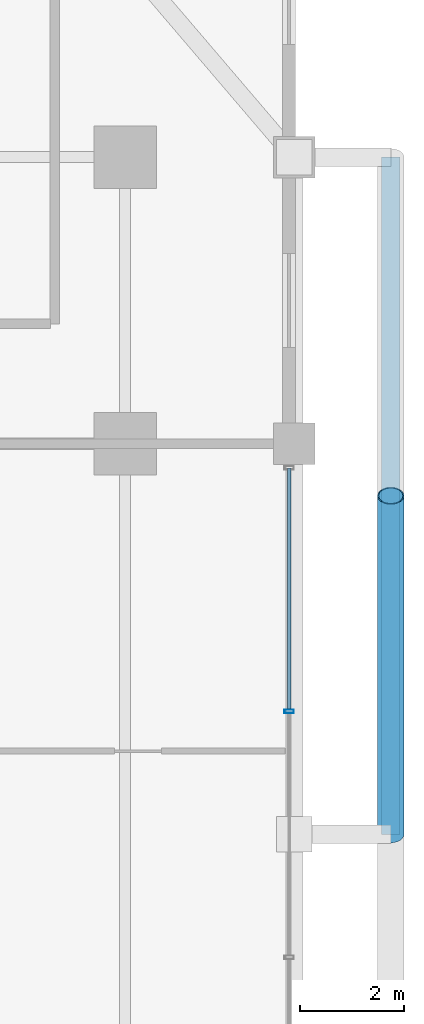
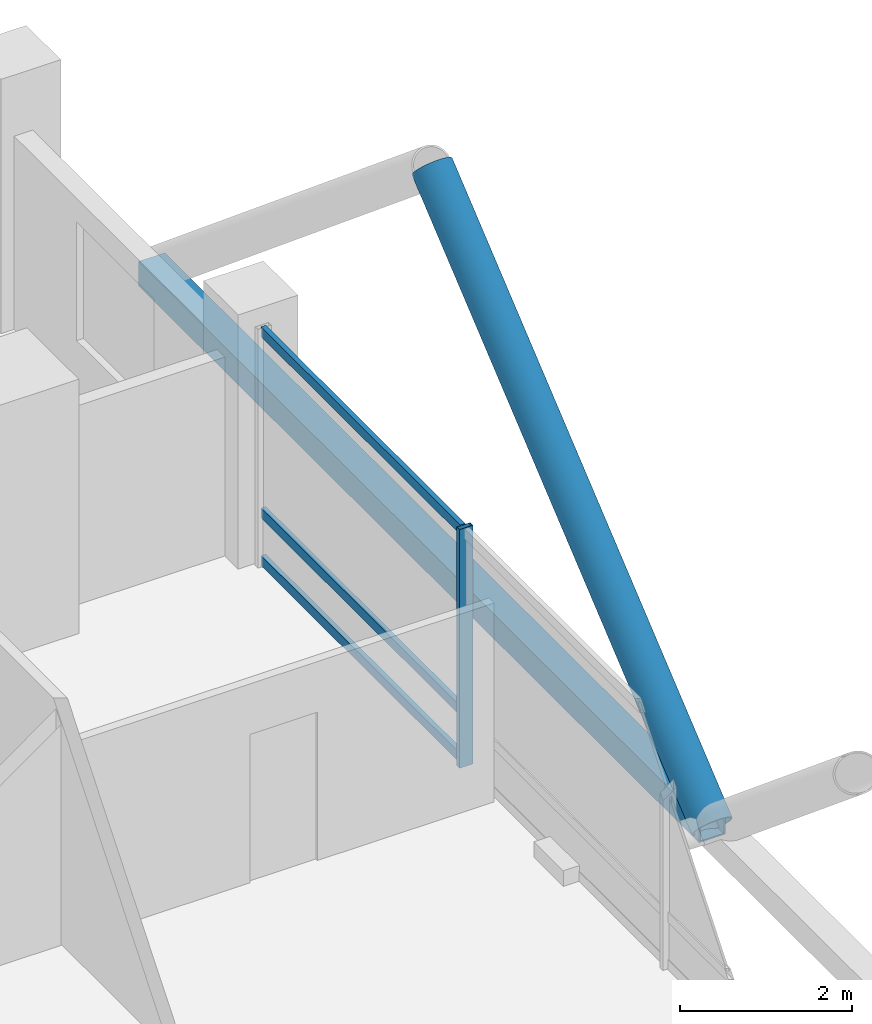
# One storey, part 11 of 25: 6 members, 1 element without a shape of its own.
"""IFC4 building model written with IfcOpenShell, lengths in metres."""

from ifc_helpers import new_model, si_unit, direction, frame, origin, origin_2d, place, context, subcontext, project, spatial, hollow_rectangle, hollow_circle, extrude, material, layer, layer_set, material_profile, profile_set, type_object, element, aggregate, save


model = new_model("IFC4")

# Units and contexts
model_context = context("Model", 3, precision=1e-05, world=origin(), true_north=direction((0.0, 1.0)))
body_context = subcontext(model_context, "Body", "Model", "MODEL_VIEW")
ifc_project = project(units=[si_unit("LENGTHUNIT", "METRE"), si_unit("AREAUNIT", "SQUARE_METRE"), si_unit("VOLUMEUNIT", "CUBIC_METRE"), si_unit("PLANEANGLEUNIT", "RADIAN"), si_unit("MASSUNIT", "GRAM", prefix="KILO")], contexts=[model_context])

# Site, building, storey
site_placement = place(None, origin())
site = spatial("IfcSite", under=ifc_project, at=site_placement, CompositionType="ELEMENT")
building_placement = place(site_placement, origin())
building = spatial("IfcBuilding", under=site, at=building_placement, Name="Barlavira Tower and Art Museum", CompositionType="ELEMENT")
storey_placement = place(building_placement, frame((0.0, 0.0, 144.0)))
storey = spatial("IfcBuildingStorey", under=building, at=storey_placement, Name="L36", CompositionType="ELEMENT", Elevation=144.0)

# Curtain wall, members
ifc_material_1 = material(Name="Low-iron coastal laminated glass", Category="glass")
ifc_layer = layer(ifc_material_1, 0.18994140625, Name="Low-iron coastal laminated glass")
ifc_layer_set = layer_set([ifc_layer], Name="Low-iron coastal laminated glass")
curtain_wall_type = type_object("IfcCurtainWallType", Name="Pale-Metal Unitised Curtain Wall Zone 2", PredefinedType="NOTDEFINED", material=ifc_layer_set)
curtain_wall_placement = place(storey_placement, origin())
curtain_wall = element("IfcCurtainWall", 1, at=curtain_wall_placement, inside=storey, type_object=curtain_wall_type, Name="L36 Curtain Wall CW2-L36-E-B3", PredefinedType="NOTDEFINED")
ifc_material_2 = material(Name="Pale anodised aluminium", Category="aluminium")
ifc_material_profile_1 = material_profile(ifc_material_2, hollow_rectangle(XDim=0.06494140625, YDim=0.179931640625, WallThickness=0.00390625, at=origin_2d()), Name="ALU-MULL 65x180x4")
ifc_profile_set_1 = profile_set([ifc_material_profile_1], Name="Pale anodised aluminium")
member_type_1 = type_object("IfcMemberType", Name="Curtain Wall Pale-Metal Mullion 65x180", PredefinedType="MULLION", material=ifc_profile_set_1)
member_1_placement = place(storey_placement, frame((20.14990234375, 2.360107421875, 0.0), z_axis=(0.0, 0.0, 1.0), x_axis=(0.0, 1.0, 0.0)))
member_1 = element("IfcMember", 2, at=member_1_placement, type_object=member_type_1, Name="CW2-L36-E-B3 Mullion 2", PredefinedType="MULLION", context=body_context, shape_type="SweptSolid", body=[
    extrude(hollow_rectangle(XDim=0.06494140625, YDim=0.179931640625, WallThickness=0.00390625, at=origin_2d()), origin(), (0.0, 0.0, 1.0), 3.3798828125),
])
ifc_material_profile_2 = material_profile(ifc_material_2, hollow_rectangle(XDim=0.06494140625, YDim=0.139892578125, WallThickness=0.00390625, at=origin_2d()), Name="ALU-TRAN 65x140x4")
ifc_profile_set_2 = profile_set([ifc_material_profile_2], Name="Pale anodised aluminium")
member_type_2 = type_object("IfcMemberType", Name="Curtain Wall Pale-Metal Transom 65x140", PredefinedType="USERDEFINED", material=ifc_profile_set_2)
member_2_placement = place(storey_placement, frame((20.14990234375, 2.405029296875, 0.070068359375), z_axis=(0.0, 1.0, 0.0), x_axis=(-1.0, 0.0, 0.0)))
member_2 = element("IfcMember", 3, at=member_2_placement, type_object=member_type_2, Name="CW2-L36-E-B3 Transom 2.1", ObjectType="TRANSOM", PredefinedType="USERDEFINED", context=body_context, shape_type="SweptSolid", body=[
    extrude(hollow_rectangle(XDim=0.06494140625, YDim=0.139892578125, WallThickness=0.00390625, at=origin_2d()), origin(), (0.0, 0.0, 1.0), 4.6298828125),
])
member_3_placement = place(storey_placement, frame((20.14990234375, 2.405029296875, 0.743896484375), z_axis=(0.0, 1.0, 0.0), x_axis=(-1.0, 0.0, 0.0)))
member_3 = element("IfcMember", 4, at=member_3_placement, type_object=member_type_2, Name="CW2-L36-E-B3 Transom 2.2", ObjectType="TRANSOM", PredefinedType="USERDEFINED", context=body_context, shape_type="SweptSolid", body=[
    extrude(hollow_rectangle(XDim=0.06494140625, YDim=0.139892578125, WallThickness=0.00390625, at=origin_2d()), origin(), (0.0, 0.0, 1.0), 4.6298828125),
])
member_4_placement = place(storey_placement, frame((20.14990234375, 2.405029296875, 3.31005859375), z_axis=(0.0, 1.0, 0.0), x_axis=(-1.0, 0.0, 0.0)))
member_4 = element("IfcMember", 5, at=member_4_placement, type_object=member_type_2, Name="CW2-L36-E-B3 Transom 2.3", ObjectType="TRANSOM", PredefinedType="USERDEFINED", context=body_context, shape_type="SweptSolid", body=[
    extrude(hollow_rectangle(XDim=0.06494140625, YDim=0.139892578125, WallThickness=0.00390625, at=origin_2d()), origin(), (0.0, 0.0, 1.0), 4.6298828125),
])
aggregate(curtain_wall, [member_1, member_2, member_3, member_4])

# Members
ifc_material_3 = material(Name="Steel S355", Category="steel")
ifc_material_profile_3 = material_profile(ifc_material_3, hollow_circle(Radius=0.25390625, WallThickness=0.022216796875, at=origin_2d()), Name="CHS 508.0x22.2")
ifc_profile_set_3 = profile_set([ifc_material_profile_3], Name="Steel S355")
member_type_3 = type_object("IfcMemberType", Name="Pale-Metal Exoskeleton Diagrid Tube CHS 508x22 Steel S355", PredefinedType="BRACE", material=ifc_profile_set_3)
member_5_placement = place(storey_placement, frame((22.10009765625, 0.0, -0.1201171875), z_axis=(0.0, 0.76918185268, 0.639029950399), x_axis=(-1.0, 0.0, 0.0)))
element("IfcMember", 6, at=member_5_placement, inside=storey, type_object=member_type_3, Name="L36 Exoskeleton Diagrid Tube E", PredefinedType="BRACE", context=body_context, shape_type="SweptSolid", body=[
    extrude(hollow_circle(Radius=0.25390625, WallThickness=0.022216796875, at=origin_2d()), origin(), (0.0, 0.0, 1.0), 8.450439453125),
])
ifc_material_profile_4 = material_profile(ifc_material_3, hollow_rectangle(XDim=0.35009765625, YDim=0.35009765625, WallThickness=0.02001953125, at=origin_2d()), Name="SHS 350x350x20.0")
ifc_profile_set_4 = profile_set([ifc_material_profile_4], Name="Steel S355")
member_type_4 = type_object("IfcMemberType", Name="Pale-Metal Exoskeleton Ring Strut SHS 350x350x20 Steel S355", PredefinedType="STRUT", material=ifc_profile_set_4)
member_6_placement = place(storey_placement, frame((22.10009765625, 0.0, -0.1201171875), z_axis=(0.0, 1.0, 0.0), x_axis=(-1.0, 0.0, 0.0)))
element("IfcMember", 7, at=member_6_placement, inside=storey, type_object=member_type_4, Name="L36 Exoskeleton Ring Strut E", PredefinedType="STRUT", context=body_context, shape_type="SweptSolid", body=[
    extrude(hollow_rectangle(XDim=0.35009765625, YDim=0.35009765625, WallThickness=0.02001953125, at=origin_2d()), origin(), (0.0, 0.0, 1.0), 13.0),
])

save(model, "model.ifc")
